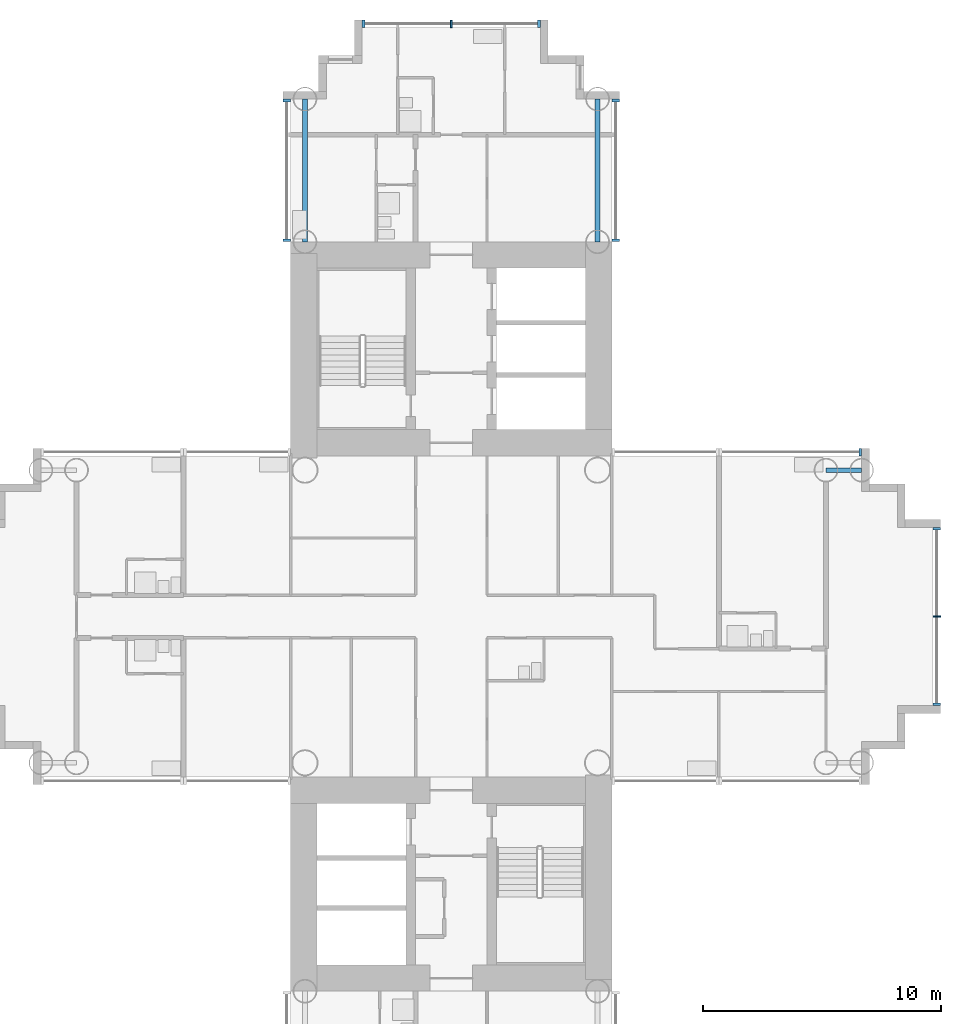
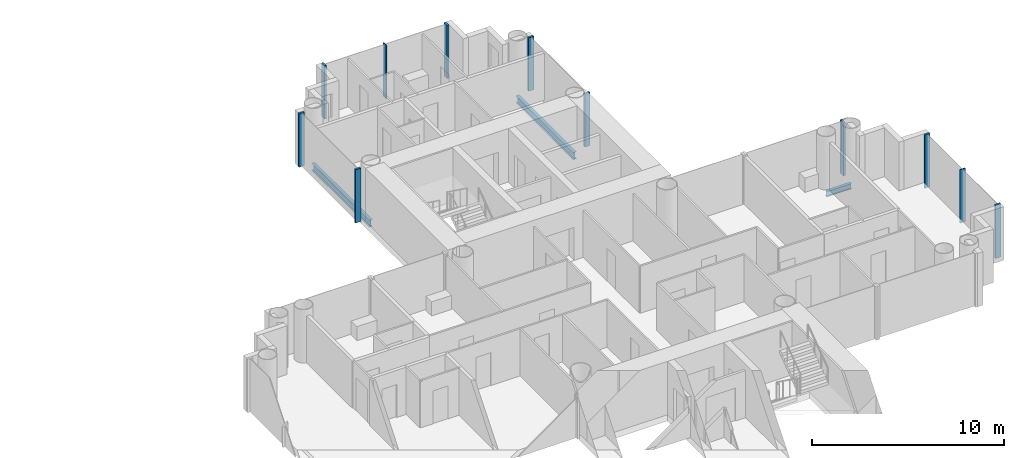
# One storey, part 6 of 21: 11 members, 3 beams, 5 elements without a shape of their own.
"""IFC4 building model written with IfcOpenShell, lengths in metres."""

from ifc_helpers import new_model, si_unit, direction, frame, origin, origin_2d, place, context, subcontext, project, spatial, rectangle, i_section, extrude, material, layer, layer_set, material_profile, profile_set, type_object, element, aggregate, save


model = new_model("IFC4")

# Units and contexts
model_context = context("Model", 3, precision=1e-05, world=origin(), true_north=direction((0.0, 1.0)))
body_context = subcontext(model_context, "Body", "Model", "MODEL_VIEW")
ifc_project = project(units=[si_unit("LENGTHUNIT", "METRE"), si_unit("AREAUNIT", "SQUARE_METRE"), si_unit("VOLUMEUNIT", "CUBIC_METRE"), si_unit("PLANEANGLEUNIT", "RADIAN"), si_unit("MASSUNIT", "GRAM", prefix="KILO")], contexts=[model_context])

# Site, building, storey
site_placement = place(None, origin())
site = spatial("IfcSite", under=ifc_project, at=site_placement, CompositionType="ELEMENT")
building_placement = place(site_placement, origin())
building = spatial("IfcBuilding", under=site, at=building_placement, Name="Ipe Terrace Towers", CompositionType="ELEMENT")
storey_placement = place(building_placement, frame((0.0, 0.0, 34.699951171875)))
storey = spatial("IfcBuildingStorey", under=building, at=storey_placement, Name="L08", CompositionType="ELEMENT", Elevation=34.699951171875)

# Beams
ifc_material_1 = material(Name="Steel S355", Category="steel")
ifc_material_profile_1 = material_profile(ifc_material_1, i_section(OverallWidth=0.175048828125, OverallDepth=0.35009765625, WebThickness=0.007080078125, FlangeThickness=0.010986328125, at=origin_2d()), Name="H-350x175x7x11")
ifc_profile_set_1 = profile_set([ifc_material_profile_1], Name="Steel S355")
beam_type_1 = type_object("IfcBeamType", Name="H04 EDGE BEAM H-350x175x7x11", PredefinedType="BEAM", material=ifc_profile_set_1)
beam_placement = place(storey_placement, frame((51.75, 6.14990234375, -0.574951171875), z_axis=(1.0, 0.0, 0.0), x_axis=(0.0, 1.0, 0.0)))
element("IfcBeam", 1, at=beam_placement, inside=storey, type_object=beam_type_1, Name="Edge beam T2-EB-D04-D06", PredefinedType="BEAM", context=body_context, shape_type="SweptSolid", body=[
    extrude(i_section(OverallWidth=0.175048828125, OverallDepth=0.35009765625, WebThickness=0.007080078125, FlangeThickness=0.010986328125, at=origin_2d()), origin(), (0.0, 0.0, 1.0), 1.5),
])
ifc_material_2 = material(Name="Steel S355", Category="steel")
ifc_material_profile_2 = material_profile(ifc_material_2, i_section(OverallWidth=0.199951171875, OverallDepth=0.449951171875, WebThickness=0.009033203125, FlangeThickness=0.013916015625, at=origin_2d()), Name="H-450x200x9x14")
ifc_profile_set_2 = profile_set([ifc_material_profile_2], Name="Steel S355")
beam_type_2 = type_object("IfcBeamType", Name="H08 EDGE BEAM H-450x200x9x14", PredefinedType="BEAM", material=ifc_profile_set_2)
for number, where, z_axis, x_axis, name in (
    (2, (42.14990234375, 15.75, -0.625), (0.0, 1.0, 0.0), (-1.0, 0.0, 0.0), "Edge beam T2-EB-A01-A03"),
    (3, (29.85009765625, 15.75, -0.625), (0.0, 1.0, 0.0), (-1.0, 0.0, 0.0), "Edge beam T2-EB-A02-A04"),
):
    element("IfcBeam", number, at=place(storey_placement, frame(where, z_axis=z_axis, x_axis=x_axis)), inside=storey, type_object=beam_type_2, Name=name, PredefinedType="BEAM", context=body_context, shape_type="SweptSolid", body=[
        extrude(i_section(OverallWidth=0.199951171875, OverallDepth=0.449951171875, WebThickness=0.009033203125, FlangeThickness=0.013916015625, at=origin_2d()), origin(), (0.0, 0.0, 1.0), 6.0),
    ])

# Curtain wall, members
ifc_material_3 = material(Name="Aluminium alloy 6063-T6", Category="aluminium")
ifc_layer = layer(ifc_material_3, 0.320068359375)
ifc_layer_set = layer_set([ifc_layer], Name="TOWER UNITISED CURTAIN WALL")
curtain_wall_type = type_object("IfcCurtainWallType", Name="TOWER UNITISED CURTAIN WALL", PredefinedType="NOTDEFINED", material=ifc_layer_set)
curtain_wall_1_placement = place(storey_placement, origin())
curtain_wall_1 = element("IfcCurtainWall", 4, at=curtain_wall_1_placement, inside=storey, type_object=curtain_wall_type, Name="T2-CW-L08-12a curtain wall", PredefinedType="NOTDEFINED")
ifc_material_4 = material(Name="Aluminium alloy 6063-T6", Category="aluminium")
ifc_material_profile_3 = material_profile(ifc_material_4, rectangle(XDim=0.320068359375, YDim=0.1201171875, at=origin_2d()), Name="TOWER UNITISED CORNER MULLION 320 x 120")
ifc_profile_set_3 = profile_set([ifc_material_profile_3], Name="Aluminium alloy 6063-T6")
member_type_1 = type_object("IfcMemberType", Name="TOWER UNITISED CORNER MULLION 320 x 120", PredefinedType="MULLION", material=ifc_profile_set_3)
member_1_placement = place(storey_placement, frame((56.409912109375, -3.68994140625, -0.300048828125), z_axis=(0.0, 0.0, 1.0), x_axis=(1.0, 0.0, 0.0)))
member_1 = element("IfcMember", 5, at=member_1_placement, type_object=member_type_1, Name="T2-CW-L08-12a mullion 1", PredefinedType="MULLION", context=body_context, shape_type="SweptSolid", body=[
    extrude(rectangle(XDim=0.320068359375, YDim=0.1201171875, at=origin_2d()), origin(), (0.0, 0.0, 1.0), 3.400146484375),
])
member_2_placement = place(storey_placement, frame((56.409912109375, 3.68994140625, -0.300048828125), z_axis=(0.0, 0.0, 1.0), x_axis=(1.0, 0.0, 0.0)))
member_2 = element("IfcMember", 6, at=member_2_placement, type_object=member_type_1, Name="T2-CW-L08-12a mullion 3", PredefinedType="MULLION", context=body_context, shape_type="SweptSolid", body=[
    extrude(rectangle(XDim=0.320068359375, YDim=0.1201171875, at=origin_2d()), origin(), (0.0, 0.0, 1.0), 3.400146484375),
])

# Curtain wall, member
curtain_wall_2_placement = place(storey_placement, origin())
curtain_wall_2 = element("IfcCurtainWall", 7, at=curtain_wall_2_placement, inside=storey, type_object=curtain_wall_type, Name="T2-CW-L08-17a curtain wall", PredefinedType="NOTDEFINED")
member_3_placement = place(storey_placement, frame((53.18994140625, 6.909912109375, -0.300048828125), z_axis=(0.0, 0.0, 1.0), x_axis=(0.0, 1.0, 0.0)))
member_3 = element("IfcMember", 8, at=member_3_placement, type_object=member_type_1, Name="T2-CW-L08-17a mullion 1", PredefinedType="MULLION", context=body_context, shape_type="SweptSolid", body=[
    extrude(rectangle(XDim=0.320068359375, YDim=0.1201171875, at=origin_2d()), origin(), (0.0, 0.0, 1.0), 3.400146484375),
])
aggregate(curtain_wall_2, [member_3])

# Curtain wall, members
curtain_wall_3_placement = place(storey_placement, origin())
curtain_wall_3 = element("IfcCurtainWall", 9, at=curtain_wall_3_placement, inside=storey, type_object=curtain_wall_type, Name="T2-CW-L08-20b curtain wall", PredefinedType="NOTDEFINED")
member_4_placement = place(storey_placement, frame((42.909912109375, 15.81103515625, -0.300048828125), z_axis=(0.0, 0.0, 1.0), x_axis=(1.0, 0.0, 0.0)))
member_4 = element("IfcMember", 10, at=member_4_placement, type_object=member_type_1, Name="T2-CW-L08-20b mullion 1", PredefinedType="MULLION", context=body_context, shape_type="SweptSolid", body=[
    extrude(rectangle(XDim=0.320068359375, YDim=0.1201171875, at=origin_2d()), origin(), (0.0, 0.0, 1.0), 3.400146484375),
])
member_5_placement = place(storey_placement, frame((42.909912109375, 21.68994140625, -0.300048828125), z_axis=(0.0, 0.0, 1.0), x_axis=(1.0, 0.0, 0.0)))
member_5 = element("IfcMember", 11, at=member_5_placement, type_object=member_type_1, Name="T2-CW-L08-20b mullion 2", PredefinedType="MULLION", context=body_context, shape_type="SweptSolid", body=[
    extrude(rectangle(XDim=0.320068359375, YDim=0.1201171875, at=origin_2d()), origin(), (0.0, 0.0, 1.0), 3.400146484375),
])
aggregate(curtain_wall_3, [member_4, member_5])

curtain_wall_4_placement = place(storey_placement, origin())
curtain_wall_4 = element("IfcCurtainWall", 12, at=curtain_wall_4_placement, inside=storey, type_object=curtain_wall_type, Name="T2-CW-L08-25a curtain wall", PredefinedType="NOTDEFINED")
member_6_placement = place(storey_placement, frame((39.68994140625, 24.909912109375, -0.300048828125), z_axis=(0.0, 0.0, 1.0), x_axis=(0.0, 1.0, 0.0)))
member_6 = element("IfcMember", 13, at=member_6_placement, type_object=member_type_1, Name="T2-CW-L08-25a mullion 1", PredefinedType="MULLION", context=body_context, shape_type="SweptSolid", body=[
    extrude(rectangle(XDim=0.320068359375, YDim=0.1201171875, at=origin_2d()), origin(), (0.0, 0.0, 1.0), 3.400146484375),
])
member_7_placement = place(storey_placement, frame((32.31005859375, 24.909912109375, -0.300048828125), z_axis=(0.0, 0.0, 1.0), x_axis=(0.0, 1.0, 0.0)))
member_7 = element("IfcMember", 14, at=member_7_placement, type_object=member_type_1, Name="T2-CW-L08-25a mullion 3", PredefinedType="MULLION", context=body_context, shape_type="SweptSolid", body=[
    extrude(rectangle(XDim=0.320068359375, YDim=0.1201171875, at=origin_2d()), origin(), (0.0, 0.0, 1.0), 3.400146484375),
])

curtain_wall_5_placement = place(storey_placement, origin())
curtain_wall_5 = element("IfcCurtainWall", 15, at=curtain_wall_5_placement, inside=storey, type_object=curtain_wall_type, Name="T2-CW-L08-30a curtain wall", PredefinedType="NOTDEFINED")
member_8_placement = place(storey_placement, frame((29.090087890625, 21.68994140625, -0.300048828125), z_axis=(0.0, 0.0, 1.0), x_axis=(-1.0, 0.0, 0.0)))
member_8 = element("IfcMember", 16, at=member_8_placement, type_object=member_type_1, Name="T2-CW-L08-30a mullion 1", PredefinedType="MULLION", context=body_context, shape_type="SweptSolid", body=[
    extrude(rectangle(XDim=0.320068359375, YDim=0.1201171875, at=origin_2d()), origin(), (0.0, 0.0, 1.0), 3.400146484375),
])
member_9_placement = place(storey_placement, frame((29.090087890625, 15.81103515625, -0.300048828125), z_axis=(0.0, 0.0, 1.0), x_axis=(-1.0, 0.0, 0.0)))
member_9 = element("IfcMember", 17, at=member_9_placement, type_object=member_type_1, Name="T2-CW-L08-30a mullion 2", PredefinedType="MULLION", context=body_context, shape_type="SweptSolid", body=[
    extrude(rectangle(XDim=0.320068359375, YDim=0.1201171875, at=origin_2d()), origin(), (0.0, 0.0, 1.0), 3.400146484375),
])
aggregate(curtain_wall_5, [member_8, member_9])

# Member
ifc_material_5 = material(Name="Aluminium alloy 6063-T6", Category="aluminium")
ifc_material_profile_4 = material_profile(ifc_material_5, rectangle(XDim=0.320068359375, YDim=0.06494140625, at=origin_2d()), Name="TOWER UNITISED MULLION 320 x 65")
ifc_profile_set_4 = profile_set([ifc_material_profile_4], Name="Aluminium alloy 6063-T6")
member_type_2 = type_object("IfcMemberType", Name="TOWER UNITISED MULLION 320 x 65", PredefinedType="MULLION", material=ifc_profile_set_4)
member_10_placement = place(storey_placement, frame((56.409912109375, 0.0, -0.300048828125), z_axis=(0.0, 0.0, 1.0), x_axis=(1.0, 0.0, 0.0)))
member_10 = element("IfcMember", 18, at=member_10_placement, type_object=member_type_2, Name="T2-CW-L08-12a mullion 2", PredefinedType="MULLION", context=body_context, shape_type="SweptSolid", body=[
    extrude(rectangle(XDim=0.320068359375, YDim=0.06494140625, at=origin_2d()), origin(), (0.0, 0.0, 1.0), 3.400146484375),
])

aggregate(curtain_wall_1, [member_1, member_10, member_2])

member_11_placement = place(storey_placement, frame((36.0, 24.909912109375, -0.300048828125), z_axis=(0.0, 0.0, 1.0), x_axis=(0.0, 1.0, 0.0)))
member_11 = element("IfcMember", 19, at=member_11_placement, type_object=member_type_2, Name="T2-CW-L08-25a mullion 2", PredefinedType="MULLION", context=body_context, shape_type="SweptSolid", body=[
    extrude(rectangle(XDim=0.320068359375, YDim=0.06494140625, at=origin_2d()), origin(), (0.0, 0.0, 1.0), 3.400146484375),
])

aggregate(curtain_wall_4, [member_6, member_11, member_7])

save(model, "model.ifc")
